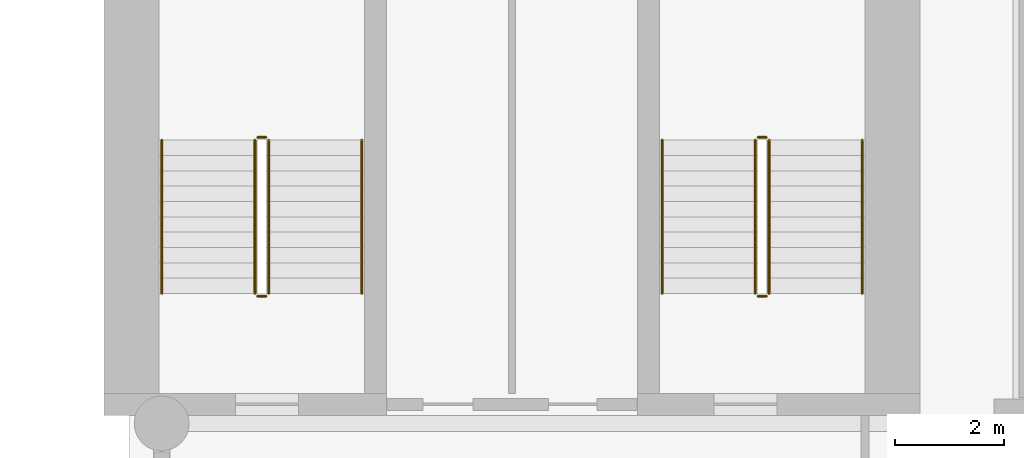
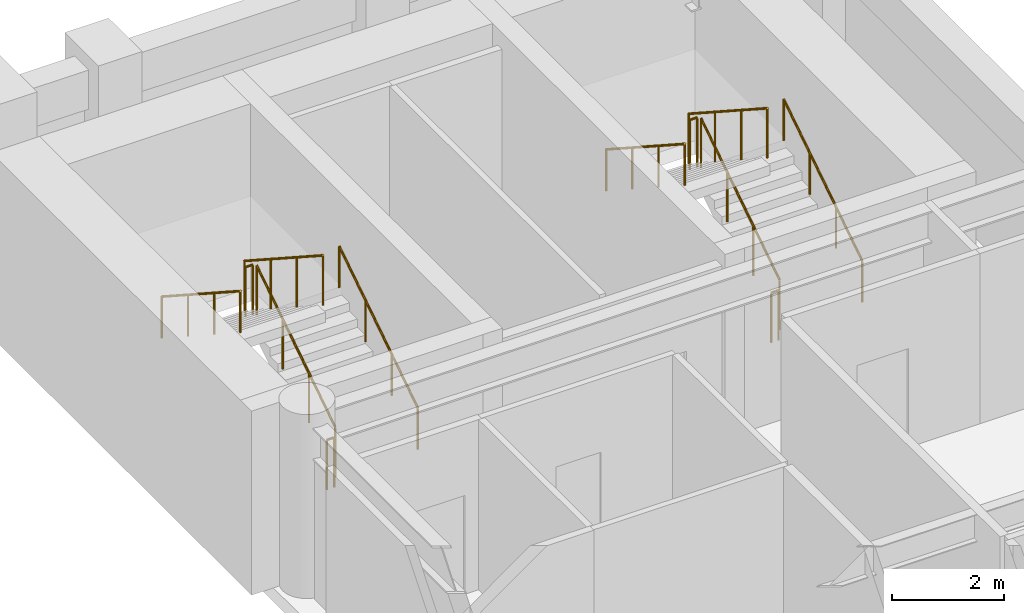
# One storey, part 10 of 10: 12 railings.
"""IFC4 building model written with IfcOpenShell, lengths in metres."""

from ifc_helpers import new_model, si_unit, direction, frame, origin, origin_2d, place, context, subcontext, project, spatial, circle, extrude, material, type_object, element, save


model = new_model("IFC4")

# Units and contexts
model_context = context("Model", 3, precision=1e-05, world=origin(), true_north=direction((0.0, 1.0)))
body_context = subcontext(model_context, "Body", "Model", "MODEL_VIEW")
ifc_project = project(units=[si_unit("LENGTHUNIT", "METRE"), si_unit("AREAUNIT", "SQUARE_METRE"), si_unit("VOLUMEUNIT", "CUBIC_METRE"), si_unit("PLANEANGLEUNIT", "RADIAN"), si_unit("MASSUNIT", "GRAM", prefix="KILO")], contexts=[model_context])

# Site, building, storey
site_placement = place(None, origin())
site = spatial("IfcSite", under=ifc_project, at=site_placement, CompositionType="ELEMENT")
building_placement = place(site_placement, origin())
building = spatial("IfcBuilding", under=site, at=building_placement, Name="Sulina Concourse Tower", CompositionType="ELEMENT")
storey_placement = place(building_placement, frame((0.0, 0.0, 30.60009765625)))
storey = spatial("IfcBuildingStorey", under=building, at=storey_placement, Name="L07", CompositionType="ELEMENT", Elevation=30.60009765625)

# Railings
ifc_material_1 = material(Name="Galvanised steel railing", Category="steel")
railing_type_1 = type_object("IfcRailingType", Name="Core Stair Steel Guardrail 1150mm", PredefinedType="GUARDRAIL", material=ifc_material_1)
railing_1_placement = place(storey_placement, frame((43.554931640625, 36.375, 0.181640625)))
element("IfcRailing", 1, at=railing_1_placement, inside=storey, type_object=railing_type_1, Name="L07 ST-3 stair guard 1", PredefinedType="GUARDRAIL", context=body_context, shape_type="SweptSolid", body=[
    extrude(circle(Radius=0.02392578125, at=origin_2d()), frame((0.0, 0.0, 1.076171875), z_axis=(0.0, 0.838672427954, 0.544636170843), x_axis=(-1.0, 0.0, 0.0)), (0.0, 0.0, 1.0), 3.338623046875),
    extrude(circle(Radius=0.02099609375, at=origin_2d()), origin(), (0.0, 0.0, 1.0), 1.052001953125),
    extrude(circle(Radius=0.02099609375, at=origin_2d()), frame((0.0, 0.933349609375, 0.606201171875)), (0.0, 0.0, 1.0), 1.052001953125),
    extrude(circle(Radius=0.02099609375, at=origin_2d()), frame((0.0, 1.86669921875, 1.212158203125)), (0.0, 0.0, 1.0), 1.052001953125),
    extrude(circle(Radius=0.02099609375, at=origin_2d()), frame((0.0, 2.800048828125, 1.818359375)), (0.0, 0.0, 1.0), 1.052001953125),
])
railing_2_placement = place(storey_placement, frame((43.5048828125, 39.22509765625, 2.0)))
element("IfcRailing", 2, at=railing_2_placement, inside=storey, type_object=railing_type_1, Name="L07 ST-3 stair guard 2", PredefinedType="GUARDRAIL", context=body_context, shape_type="SweptSolid", body=[
    extrude(circle(Radius=0.02392578125, at=origin_2d()), frame((0.0, 0.0, 1.076171875), z_axis=(-1.0, 0.0, 0.0), x_axis=(0.0, -1.0, 0.0)), (0.0, 0.0, 1.0), 0.14990234375),
    extrude(circle(Radius=0.02099609375, at=origin_2d()), origin(), (0.0, 0.0, 1.0), 1.052001953125),
    extrude(circle(Radius=0.02099609375, at=origin_2d()), frame((-0.14990234375, 0.0, 0.0)), (0.0, 0.0, 1.0), 1.052001953125),
])
railing_3_placement = place(storey_placement, frame((43.304931640625, 39.175048828125, 2.181640625)))
element("IfcRailing", 3, at=railing_3_placement, inside=storey, type_object=railing_type_1, Name="L07 ST-3 stair guard 3", PredefinedType="GUARDRAIL", context=body_context, shape_type="SweptSolid", body=[
    extrude(circle(Radius=0.02392578125, at=origin_2d()), frame((0.0, 0.0, 1.076171875), z_axis=(0.0, -0.838672427954, 0.544636170843), x_axis=(1.0, 0.0, 0.0)), (0.0, 0.0, 1.0), 3.338623046875),
    extrude(circle(Radius=0.02099609375, at=origin_2d()), origin(), (0.0, 0.0, 1.0), 1.052001953125),
    extrude(circle(Radius=0.02099609375, at=origin_2d()), frame((0.0, -0.933349609375, 0.606201171875)), (0.0, 0.0, 1.0), 1.052001953125),
    extrude(circle(Radius=0.02099609375, at=origin_2d()), frame((0.0, -1.86669921875, 1.212158203125)), (0.0, 0.0, 1.0), 1.052001953125),
    extrude(circle(Radius=0.02099609375, at=origin_2d()), frame((0.0, -2.800048828125, 1.818359375)), (0.0, 0.0, 1.0), 1.052001953125),
])
railing_4_placement = place(storey_placement, frame((43.5048828125, 36.324951171875, 0.0)))
element("IfcRailing", 4, at=railing_4_placement, inside=storey, type_object=railing_type_1, Name="L07 ST-3 stair guard 4", PredefinedType="GUARDRAIL", context=body_context, shape_type="SweptSolid", body=[
    extrude(circle(Radius=0.02392578125, at=origin_2d()), frame((0.0, 0.0, 1.076171875), z_axis=(-1.0, 0.0, 0.0), x_axis=(0.0, -1.0, 0.0)), (0.0, 0.0, 1.0), 0.14990234375),
    extrude(circle(Radius=0.02099609375, at=origin_2d()), origin(), (0.0, 0.0, 1.0), 1.052001953125),
    extrude(circle(Radius=0.02099609375, at=origin_2d()), frame((-0.14990234375, 0.0, 0.0)), (0.0, 0.0, 1.0), 1.052001953125),
])
railing_5_placement = place(storey_placement, frame((52.695068359375, 36.375, 0.181640625)))
element("IfcRailing", 5, at=railing_5_placement, inside=storey, type_object=railing_type_1, Name="L07 ST-4 stair guard 1", PredefinedType="GUARDRAIL", context=body_context, shape_type="SweptSolid", body=[
    extrude(circle(Radius=0.02392578125, at=origin_2d()), frame((0.0, 0.0, 1.076171875), z_axis=(0.0, 0.838672427954, 0.544636170843), x_axis=(-1.0, 0.0, 0.0)), (0.0, 0.0, 1.0), 3.338623046875),
    extrude(circle(Radius=0.02099609375, at=origin_2d()), origin(), (0.0, 0.0, 1.0), 1.052001953125),
    extrude(circle(Radius=0.02099609375, at=origin_2d()), frame((0.0, 0.933349609375, 0.606201171875)), (0.0, 0.0, 1.0), 1.052001953125),
    extrude(circle(Radius=0.02099609375, at=origin_2d()), frame((0.0, 1.86669921875, 1.212158203125)), (0.0, 0.0, 1.0), 1.052001953125),
    extrude(circle(Radius=0.02099609375, at=origin_2d()), frame((0.0, 2.800048828125, 1.818359375)), (0.0, 0.0, 1.0), 1.052001953125),
])
railing_6_placement = place(storey_placement, frame((52.64501953125, 39.22509765625, 2.0)))
element("IfcRailing", 6, at=railing_6_placement, inside=storey, type_object=railing_type_1, Name="L07 ST-4 stair guard 2", PredefinedType="GUARDRAIL", context=body_context, shape_type="SweptSolid", body=[
    extrude(circle(Radius=0.02392578125, at=origin_2d()), frame((0.0, 0.0, 1.076171875), z_axis=(-1.0, 0.0, 0.0), x_axis=(0.0, -1.0, 0.0)), (0.0, 0.0, 1.0), 0.14990234375),
    extrude(circle(Radius=0.02099609375, at=origin_2d()), origin(), (0.0, 0.0, 1.0), 1.052001953125),
    extrude(circle(Radius=0.02099609375, at=origin_2d()), frame((-0.14990234375, 0.0, 0.0)), (0.0, 0.0, 1.0), 1.052001953125),
])
railing_7_placement = place(storey_placement, frame((52.445068359375, 39.175048828125, 2.181640625)))
element("IfcRailing", 7, at=railing_7_placement, inside=storey, type_object=railing_type_1, Name="L07 ST-4 stair guard 3", PredefinedType="GUARDRAIL", context=body_context, shape_type="SweptSolid", body=[
    extrude(circle(Radius=0.02392578125, at=origin_2d()), frame((0.0, 0.0, 1.076171875), z_axis=(0.0, -0.838672427954, 0.544636170843), x_axis=(1.0, 0.0, 0.0)), (0.0, 0.0, 1.0), 3.338623046875),
    extrude(circle(Radius=0.02099609375, at=origin_2d()), origin(), (0.0, 0.0, 1.0), 1.052001953125),
    extrude(circle(Radius=0.02099609375, at=origin_2d()), frame((0.0, -0.933349609375, 0.606201171875)), (0.0, 0.0, 1.0), 1.052001953125),
    extrude(circle(Radius=0.02099609375, at=origin_2d()), frame((0.0, -1.86669921875, 1.212158203125)), (0.0, 0.0, 1.0), 1.052001953125),
    extrude(circle(Radius=0.02099609375, at=origin_2d()), frame((0.0, -2.800048828125, 1.818359375)), (0.0, 0.0, 1.0), 1.052001953125),
])
railing_8_placement = place(storey_placement, frame((52.64501953125, 36.324951171875, 0.0)))
element("IfcRailing", 8, at=railing_8_placement, inside=storey, type_object=railing_type_1, Name="L07 ST-4 stair guard 4", PredefinedType="GUARDRAIL", context=body_context, shape_type="SweptSolid", body=[
    extrude(circle(Radius=0.02392578125, at=origin_2d()), frame((0.0, 0.0, 1.076171875), z_axis=(-1.0, 0.0, 0.0), x_axis=(0.0, -1.0, 0.0)), (0.0, 0.0, 1.0), 0.14990234375),
    extrude(circle(Radius=0.02099609375, at=origin_2d()), origin(), (0.0, 0.0, 1.0), 1.052001953125),
    extrude(circle(Radius=0.02099609375, at=origin_2d()), frame((-0.14990234375, 0.0, 0.0)), (0.0, 0.0, 1.0), 1.052001953125),
])
ifc_material_2 = material(Name="Galvanised steel railing", Category="steel")
railing_type_2 = type_object("IfcRailingType", Name="Stair Wall Steel Handrail 920mm", PredefinedType="HANDRAIL", material=ifc_material_2)
railing_9_placement = place(storey_placement, frame((45.2548828125, 36.375, 0.181640625)))
element("IfcRailing", 9, at=railing_9_placement, inside=storey, type_object=railing_type_2, Name="L07 ST-3 stair handrail 1", PredefinedType="HANDRAIL", context=body_context, shape_type="SweptSolid", body=[
    extrude(circle(Radius=0.02392578125, at=origin_2d()), frame((0.0, 0.0, 0.89599609375), z_axis=(0.0, 0.838672427954, 0.544636170843), x_axis=(-1.0, 0.0, 0.0)), (0.0, 0.0, 1.0), 3.338623046875),
    extrude(circle(Radius=0.02099609375, at=origin_2d()), origin(), (0.0, 0.0, 1.0), 0.871826171875),
    extrude(circle(Radius=0.02099609375, at=origin_2d()), frame((0.0, 0.933349609375, 0.606201171875)), (0.0, 0.0, 1.0), 0.871826171875),
    extrude(circle(Radius=0.02099609375, at=origin_2d()), frame((0.0, 1.86669921875, 1.212158203125)), (0.0, 0.0, 1.0), 0.871826171875),
    extrude(circle(Radius=0.02099609375, at=origin_2d()), frame((0.0, 2.800048828125, 1.818359375)), (0.0, 0.0, 1.0), 0.871826171875),
])
railing_10_placement = place(storey_placement, frame((41.60498046875, 39.175048828125, 2.181640625)))
element("IfcRailing", 10, at=railing_10_placement, inside=storey, type_object=railing_type_2, Name="L07 ST-3 stair handrail 2", PredefinedType="HANDRAIL", context=body_context, shape_type="SweptSolid", body=[
    extrude(circle(Radius=0.02392578125, at=origin_2d()), frame((0.0, 0.0, 0.89599609375), z_axis=(0.0, -0.838672427954, 0.544636170843), x_axis=(1.0, 0.0, 0.0)), (0.0, 0.0, 1.0), 3.338623046875),
    extrude(circle(Radius=0.02099609375, at=origin_2d()), origin(), (0.0, 0.0, 1.0), 0.871826171875),
    extrude(circle(Radius=0.02099609375, at=origin_2d()), frame((0.0, -0.933349609375, 0.606201171875)), (0.0, 0.0, 1.0), 0.871826171875),
    extrude(circle(Radius=0.02099609375, at=origin_2d()), frame((0.0, -1.86669921875, 1.212158203125)), (0.0, 0.0, 1.0), 0.871826171875),
    extrude(circle(Radius=0.02099609375, at=origin_2d()), frame((0.0, -2.800048828125, 1.818359375)), (0.0, 0.0, 1.0), 0.871826171875),
])
railing_11_placement = place(storey_placement, frame((54.39501953125, 36.375, 0.181640625)))
element("IfcRailing", 11, at=railing_11_placement, inside=storey, type_object=railing_type_2, Name="L07 ST-4 stair handrail 1", PredefinedType="HANDRAIL", context=body_context, shape_type="SweptSolid", body=[
    extrude(circle(Radius=0.02392578125, at=origin_2d()), frame((0.0, 0.0, 0.89599609375), z_axis=(0.0, 0.838672427954, 0.544636170843), x_axis=(-1.0, 0.0, 0.0)), (0.0, 0.0, 1.0), 3.338623046875),
    extrude(circle(Radius=0.02099609375, at=origin_2d()), origin(), (0.0, 0.0, 1.0), 0.871826171875),
    extrude(circle(Radius=0.02099609375, at=origin_2d()), frame((0.0, 0.933349609375, 0.606201171875)), (0.0, 0.0, 1.0), 0.871826171875),
    extrude(circle(Radius=0.02099609375, at=origin_2d()), frame((0.0, 1.86669921875, 1.212158203125)), (0.0, 0.0, 1.0), 0.871826171875),
    extrude(circle(Radius=0.02099609375, at=origin_2d()), frame((0.0, 2.800048828125, 1.818359375)), (0.0, 0.0, 1.0), 0.871826171875),
])
railing_12_placement = place(storey_placement, frame((50.7451171875, 39.175048828125, 2.181640625)))
element("IfcRailing", 12, at=railing_12_placement, inside=storey, type_object=railing_type_2, Name="L07 ST-4 stair handrail 2", PredefinedType="HANDRAIL", context=body_context, shape_type="SweptSolid", body=[
    extrude(circle(Radius=0.02392578125, at=origin_2d()), frame((0.0, 0.0, 0.89599609375), z_axis=(0.0, -0.838672427954, 0.544636170843), x_axis=(1.0, 0.0, 0.0)), (0.0, 0.0, 1.0), 3.338623046875),
    extrude(circle(Radius=0.02099609375, at=origin_2d()), origin(), (0.0, 0.0, 1.0), 0.871826171875),
    extrude(circle(Radius=0.02099609375, at=origin_2d()), frame((0.0, -0.933349609375, 0.606201171875)), (0.0, 0.0, 1.0), 0.871826171875),
    extrude(circle(Radius=0.02099609375, at=origin_2d()), frame((0.0, -1.86669921875, 1.212158203125)), (0.0, 0.0, 1.0), 0.871826171875),
    extrude(circle(Radius=0.02099609375, at=origin_2d()), frame((0.0, -2.800048828125, 1.818359375)), (0.0, 0.0, 1.0), 0.871826171875),
])

save(model, "model.ifc")
